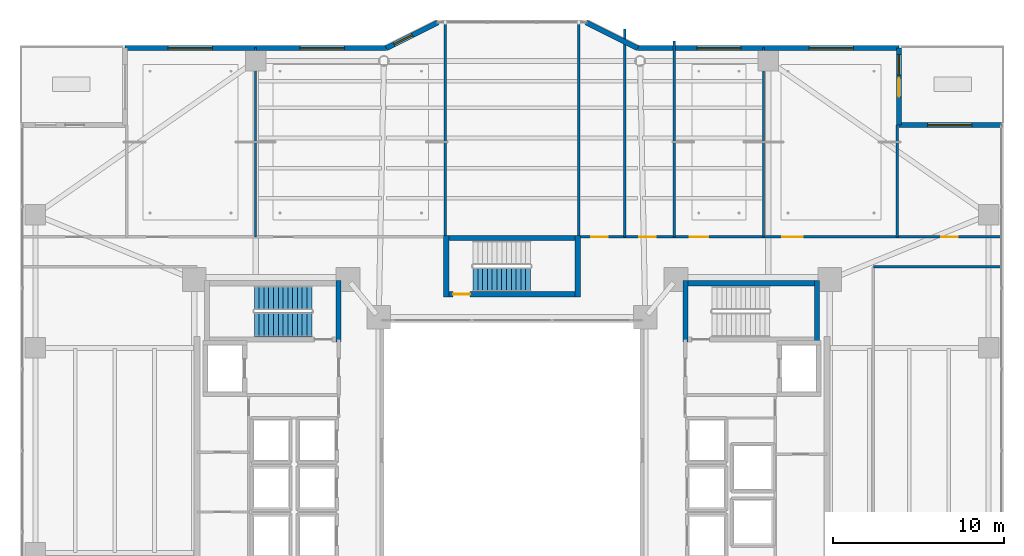
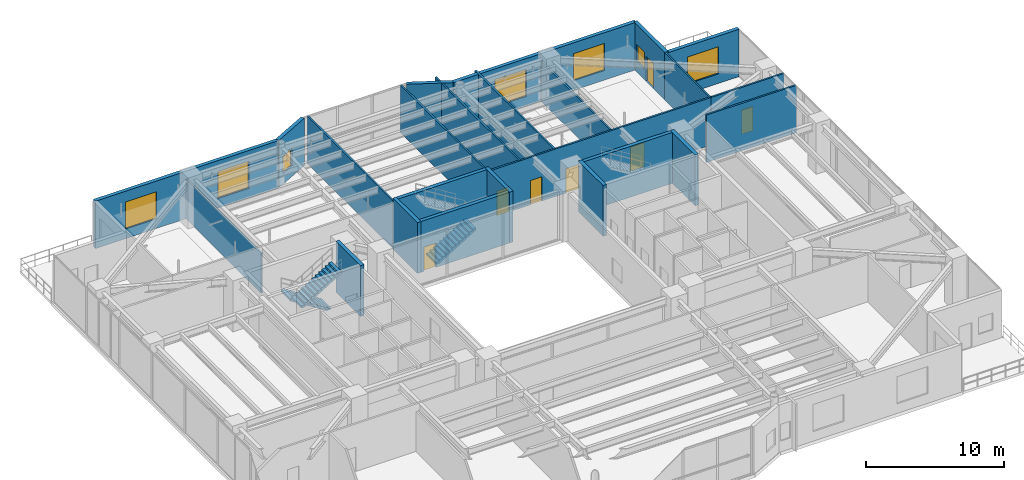
# One storey, part 32 of 39: 24 walls, 7 doors, 7 windows, 3 stair flights, 14 openings, 2 elements without a shape of their own.
"""IFC4 building model written with IfcOpenShell, lengths in metres."""

from ifc_helpers import new_model, si_unit, direction, frame, frame_2d, origin, place, context, subcontext, project, spatial, polyline, rectangle, outline, extrude, material, layer, layer_set, type_object, element, fill, aggregate, save


model = new_model("IFC4")

# Units and contexts
model_context = context("Model", 3, precision=1e-05, world=origin(), true_north=direction((0.0, 1.0)))
body_context = subcontext(model_context, "Body", "Model", "MODEL_VIEW")
ifc_project = project(units=[si_unit("LENGTHUNIT", "METRE"), si_unit("AREAUNIT", "SQUARE_METRE"), si_unit("VOLUMEUNIT", "CUBIC_METRE"), si_unit("PLANEANGLEUNIT", "RADIAN"), si_unit("MASSUNIT", "GRAM", prefix="KILO")], contexts=[model_context])

# Site, building, storey
site_placement = place(None, origin())
site = spatial("IfcSite", under=ifc_project, at=site_placement, CompositionType="ELEMENT")
building_placement = place(site_placement, origin())
building = spatial("IfcBuilding", under=site, at=building_placement, Name="Tarnavaz Court Tower", CompositionType="ELEMENT")
storey_placement = place(building_placement, frame((0.0, 0.0, 68.699951171875)))
storey = spatial("IfcBuildingStorey", under=building, at=storey_placement, Name="L18", CompositionType="ELEMENT", Elevation=68.699951171875)

# Walls
ifc_material_1 = material(Name="Concrete C60/75", Category="concrete")
ifc_layer_1 = layer(ifc_material_1, 0.300048828125)
ifc_layer_set_1 = layer_set([ifc_layer_1], Name="Concrete C60/75")
wall_type_1 = type_object("IfcWallType", Name="WL-CORE-300-C60", PredefinedType="SHEAR", material=ifc_layer_set_1)
wall_1_placement = place(storey_placement, frame((-10.14990234375, 6.35009765625, 0.0), z_axis=(0.0, 0.0, 1.0), x_axis=(0.0, 1.0, 0.0)))
element("IfcWall", 1, at=wall_1_placement, inside=storey, type_object=wall_type_1, Name="L18 West Stair Core Wall 004", PredefinedType="SHEAR", context=body_context, shape_type="SweptSolid", body=[
    extrude(rectangle(XDim=3.58984375, YDim=0.300048828125, at=frame_2d((1.794921875, 0.0))), origin(), (0.0, 0.0, 1.0), 4.5),
])
wall_2_placement = place(storey_placement, frame((10.0, 9.7900390625, 0.0), z_axis=(0.0, 0.0, 1.0), x_axis=(1.0, 0.0, 0.0)))
element("IfcWall", 2, at=wall_2_placement, inside=storey, type_object=wall_type_1, Name="L18 East Stair Core Wall 005", PredefinedType="SHEAR", context=body_context, shape_type="SweptSolid", body=[
    extrude(rectangle(XDim=8.0, YDim=0.300048828125, at=frame_2d((4.0, 0.0))), origin(), (0.0, 0.0, 1.0), 4.5),
])
for number, where, z_axis, x_axis, name in (
    (3, (10.14990234375, 6.35009765625, 0.0), (0.0, 0.0, 1.0), (0.0, 1.0, 0.0), "L18 East Stair Core Wall 007"),
    (4, (17.85009765625, 6.35009765625, 0.0), (0.0, 0.0, 1.0), (0.0, 1.0, 0.0), "L18 East Stair Core Wall 008"),
):
    element("IfcWall", number, at=place(storey_placement, frame(where, z_axis=z_axis, x_axis=x_axis)), inside=storey, type_object=wall_type_1, Name=name, PredefinedType="SHEAR", context=body_context, shape_type="SweptSolid", body=[
        extrude(rectangle(XDim=3.58984375, YDim=0.300048828125, at=frame_2d((1.794921875, 0.0))), origin(), (0.0, 0.0, 1.0), 4.5),
    ])
wall_3_placement = place(storey_placement, frame((-4.0, 12.43994140625, 0.0), z_axis=(0.0, 0.0, 1.0), x_axis=(1.0, 0.0, 0.0)))
element("IfcWall", 5, at=wall_3_placement, inside=storey, type_object=wall_type_1, Name="L18 North Stair Core Wall 009", PredefinedType="SHEAR", context=body_context, shape_type="SweptSolid", body=[
    extrude(rectangle(XDim=8.0, YDim=0.300048828125, at=frame_2d((4.0, 0.0))), origin(), (0.0, 0.0, 1.0), 4.5),
])

# Wall, opening, door
wall_4_placement = place(storey_placement, frame((-4.0, 9.14990234375, 0.0), z_axis=(0.0, 0.0, 1.0), x_axis=(1.0, 0.0, 0.0)))
wall_4 = element("IfcWall", 6, at=wall_4_placement, inside=storey, type_object=wall_type_1, Name="L18 North Stair Core Wall 010", PredefinedType="SHEAR", context=body_context, shape_type="SweptSolid", body=[
    extrude(rectangle(XDim=8.0, YDim=0.300048828125, at=frame_2d((4.0, 0.0))), origin(), (0.0, 0.0, 1.0), 4.5),
])
opening_1_placement = place(wall_4_placement, frame((0.550048828125, 0.0, 0.0)))
opening_1 = element("IfcOpeningElement", 7, at=opening_1_placement, cuts=wall_4, Name="Opening D01", PredefinedType="OPENING", context=body_context, shape_type="SweptSolid", body=[
    extrude(rectangle(XDim=1.0, YDim=2.14990234375, at=frame_2d((0.5, 1.074951171875))), frame((0.0, 0.159912109375, 0.0), z_axis=(0.0, -1.0, 0.0), x_axis=(1.0, 0.0, 0.0)), (0.0, 0.0, 1.0), 0.320068359375),
])
ifc_material_2 = material(Name="Fire-Rated Hardwood Timber Core", Category="wood")
door_type_1 = type_object("IfcDoorType", Name="DR-FD90-1000", OperationType="NOTDEFINED", PredefinedType="DOOR", material=ifc_material_2)
door_1_placement = place(opening_1_placement, origin())
door_1 = element("IfcDoor", 8, at=door_1_placement, inside=storey, type_object=door_type_1, Name="L18 Stair ST-N1 Exit Door", OperationType="SINGLE_SWING_LEFT", OverallHeight=2.14990234375, OverallWidth=1.0, PredefinedType="DOOR", context=body_context, shape_type="SweptSolid", body=[
    extrude(rectangle(XDim=1.0, YDim=2.14990234375, at=frame_2d((0.5, 1.074951171875))), frame((0.0, 0.02490234375, 0.0), z_axis=(0.0, -1.0, 0.0), x_axis=(1.0, 0.0, 0.0)), (0.0, 0.0, 1.0), 0.050048828125),
])
fill(opening_1, door_1)

# Walls
for number, where, z_axis, x_axis, name in (
    (9, (-3.85009765625, 9.0, 0.0), (0.0, 0.0, 1.0), (0.0, 1.0, 0.0), "L18 North Stair Core Wall 011"),
    (10, (3.85009765625, 9.0, 0.0), (0.0, 0.0, 1.0), (0.0, 1.0, 0.0), "L18 North Stair Core Wall 012"),
):
    element("IfcWall", number, at=place(storey_placement, frame(where, z_axis=z_axis, x_axis=x_axis)), inside=storey, type_object=wall_type_1, Name=name, PredefinedType="SHEAR", context=body_context, shape_type="SweptSolid", body=[
        extrude(rectangle(XDim=3.590087890625, YDim=0.300048828125, at=frame_2d((1.794921875, 0.0))), origin(), (0.0, 0.0, 1.0), 4.5),
    ])

# Wall, openings, windows
ifc_material_3 = material(Name="Precast Concrete C40/50", Category="concrete")
ifc_layer_2 = layer(ifc_material_3, 0.300048828125)
ifc_layer_set_2 = layer_set([ifc_layer_2], Name="Precast Concrete C40/50")
wall_type_2 = type_object("IfcWallType", Name="WL-EXT-300", PredefinedType="SOLIDWALL", material=ifc_layer_set_2)
wall_5_placement = place(storey_placement, frame((-22.64990234375, 23.550048828125, 0.0), z_axis=(0.0, 0.0, 1.0), x_axis=(1.0, 0.0, 0.0)))
wall_5 = element("IfcWall", 11, at=wall_5_placement, inside=storey, type_object=wall_type_2, Name="L18 Exterior Terracotta Facade Wall 05", PredefinedType="SOLIDWALL", context=body_context, shape_type="SweptSolid", body=[
    extrude(rectangle(XDim=15.2998046875, YDim=0.300048828125, at=frame_2d((7.64990234375, 0.0))), origin(), (0.0, 0.0, 1.0), 4.199951171875),
])
opening_2_placement = place(wall_5_placement, frame((2.512451171875, 0.0, 0.85009765625)))
opening_2 = element("IfcOpeningElement", 12, at=opening_2_placement, cuts=wall_5, Name="Opening W11", PredefinedType="OPENING", context=body_context, shape_type="SweptSolid", body=[
    extrude(rectangle(XDim=2.60009765625, YDim=2.39990234375, at=frame_2d((1.300048828125, 1.199951171875))), frame((0.0, 0.159912109375, 0.0), z_axis=(0.0, -1.0, 0.0), x_axis=(1.0, 0.0, 0.0)), (0.0, 0.0, 1.0), 0.320068359375),
])
opening_3_placement = place(wall_5_placement, frame((10.23779296875, 0.0, 0.85009765625)))
opening_3 = element("IfcOpeningElement", 13, at=opening_3_placement, cuts=wall_5, Name="Opening W11", PredefinedType="OPENING", context=body_context, shape_type="SweptSolid", body=[
    extrude(rectangle(XDim=2.60009765625, YDim=2.39990234375, at=frame_2d((1.300048828125, 1.199951171875))), frame((0.0, 0.159912109375, 0.0), z_axis=(0.0, -1.0, 0.0), x_axis=(1.0, 0.0, 0.0)), (0.0, 0.0, 1.0), 0.320068359375),
])
ifc_material_4 = material(Name="Double-Glazed Solar Low-E Glass", Category="glass")
window_type_1 = type_object("IfcWindowType", Name="WN-COM-2600", PartitioningType="TRIPLE_PANEL_VERTICAL", PredefinedType="WINDOW", material=ifc_material_4)
window_1_placement = place(opening_2_placement, origin())
window_1 = element("IfcWindow", 14, at=window_1_placement, inside=storey, type_object=window_type_1, Name="L18 Sky Transfer Reception Concourse Window", OverallHeight=2.39990234375, OverallWidth=2.60009765625, PartitioningType="SINGLE_PANEL", PredefinedType="WINDOW", context=body_context, shape_type="SweptSolid", body=[
    extrude(rectangle(XDim=2.60009765625, YDim=2.39990234375, at=frame_2d((1.300048828125, 1.199951171875))), frame((0.0, 0.030029296875, 0.0), z_axis=(0.0, -1.0, 0.0), x_axis=(1.0, 0.0, 0.0)), (0.0, 0.0, 1.0), 0.06005859375),
])
fill(opening_2, window_1)
window_2_placement = place(opening_3_placement, origin())
window_2 = element("IfcWindow", 15, at=window_2_placement, inside=storey, type_object=window_type_1, Name="L18 Residents Reading Library Window", OverallHeight=2.39990234375, OverallWidth=2.60009765625, PartitioningType="SINGLE_PANEL", PredefinedType="WINDOW", context=body_context, shape_type="SweptSolid", body=[
    extrude(rectangle(XDim=2.60009765625, YDim=2.39990234375, at=frame_2d((1.300048828125, 1.199951171875))), frame((0.0, 0.030029296875, 0.0), z_axis=(0.0, -1.0, 0.0), x_axis=(1.0, 0.0, 0.0)), (0.0, 0.0, 1.0), 0.06005859375),
])
fill(opening_3, window_2)

# Wall, opening, window
wall_6_placement = place(storey_placement, frame((-7.35009765625, 23.550048828125, 0.0), z_axis=(0.0, 0.0, 1.0), x_axis=(0.894427191, 0.4472135955, 0.0)))
wall_6 = element("IfcWall", 16, at=wall_6_placement, inside=storey, type_object=wall_type_2, Name="L18 Exterior Terracotta Facade Wall 06", PredefinedType="SOLIDWALL", context=body_context, shape_type="SweptSolid", body=[
    extrude(rectangle(XDim=3.35400390625, YDim=0.300048828125, at=frame_2d((1.677001953125, 0.0))), origin(), (0.0, 0.0, 1.0), 4.199951171875),
])
opening_4_placement = place(wall_6_placement, frame((0.501220703125, 0.0, 0.949951171875)))
opening_4 = element("IfcOpeningElement", 17, at=opening_4_placement, cuts=wall_6, Name="Opening W05", PredefinedType="OPENING", context=body_context, shape_type="SweptSolid", body=[
    extrude(rectangle(XDim=1.199951171875, YDim=1.5, at=frame_2d((0.60009765625, 0.75))), frame((0.0, 0.159912109375, 0.0), z_axis=(0.0, -1.0, 0.0), x_axis=(1.0, 0.0, 0.0)), (0.0, 0.0, 1.0), 0.320068359375),
])
window_type_2 = type_object("IfcWindowType", Name="WN-APT-1200", PartitioningType="SINGLE_PANEL", PredefinedType="WINDOW", material=ifc_material_4)
window_3_placement = place(opening_4_placement, origin())
window_3 = element("IfcWindow", 18, at=window_3_placement, inside=storey, type_object=window_type_2, Name="L18 Residents Reading Library Window", OverallHeight=1.5, OverallWidth=1.199951171875, PartitioningType="SINGLE_PANEL", PredefinedType="WINDOW", context=body_context, shape_type="SweptSolid", body=[
    extrude(rectangle(XDim=1.199951171875, YDim=1.5, at=frame_2d((0.60009765625, 0.75))), frame((0.0, 0.030029296875, 0.0), z_axis=(0.0, -1.0, 0.0), x_axis=(1.0, 0.0, 0.0)), (0.0, 0.0, 1.0), 0.06005859375),
])
fill(opening_4, window_3)

# Wall
wall_7_placement = place(storey_placement, frame((4.35009765625, 25.050048828125, 0.0), z_axis=(0.0, 0.0, 1.0), x_axis=(0.894427191, -0.4472135955, 0.0)))
element("IfcWall", 19, at=wall_7_placement, inside=storey, type_object=wall_type_2, Name="L18 Exterior Terracotta Facade Wall 08", PredefinedType="SOLIDWALL", context=body_context, shape_type="SweptSolid", body=[
    extrude(rectangle(XDim=3.35400390625, YDim=0.300048828125, at=frame_2d((1.677001953125, 0.0))), origin(), (0.0, 0.0, 1.0), 4.199951171875),
])

# Wall, openings, windows
wall_8_placement = place(storey_placement, frame((7.35009765625, 23.550048828125, 0.0), z_axis=(0.0, 0.0, 1.0), x_axis=(1.0, 0.0, 0.0)))
wall_8 = element("IfcWall", 20, at=wall_8_placement, inside=storey, type_object=wall_type_2, Name="L18 Exterior Terracotta Facade Wall 09", PredefinedType="SOLIDWALL", context=body_context, shape_type="SweptSolid", body=[
    extrude(rectangle(XDim=15.2998046875, YDim=0.300048828125, at=frame_2d((7.64990234375, 0.0))), origin(), (0.0, 0.0, 1.0), 4.199951171875),
])
opening_5_placement = place(wall_8_placement, frame((3.465576171875, 0.0, 0.85009765625)))
opening_5 = element("IfcOpeningElement", 21, at=opening_5_placement, cuts=wall_8, Name="Opening W11", PredefinedType="OPENING", context=body_context, shape_type="SweptSolid", body=[
    extrude(rectangle(XDim=2.60009765625, YDim=2.39990234375, at=frame_2d((1.300048828125, 1.199951171875))), frame((0.0, 0.159912109375, 0.0), z_axis=(0.0, -1.0, 0.0), x_axis=(1.0, 0.0, 0.0)), (0.0, 0.0, 1.0), 0.320068359375),
])
opening_6_placement = place(wall_8_placement, frame((10.037109375, 0.0, 0.85009765625)))
opening_6 = element("IfcOpeningElement", 22, at=opening_6_placement, cuts=wall_8, Name="Opening W11", PredefinedType="OPENING", context=body_context, shape_type="SweptSolid", body=[
    extrude(rectangle(XDim=2.60009765625, YDim=2.39990234375, at=frame_2d((1.300048828125, 1.199951171875))), frame((0.0, 0.159912109375, 0.0), z_axis=(0.0, -1.0, 0.0), x_axis=(1.0, 0.0, 0.0)), (0.0, 0.0, 1.0), 0.320068359375),
])
window_4_placement = place(opening_5_placement, origin())
window_4 = element("IfcWindow", 23, at=window_4_placement, inside=storey, type_object=window_type_1, Name="L18 Community Seminar Meeting Room Window", OverallHeight=2.39990234375, OverallWidth=2.60009765625, PartitioningType="SINGLE_PANEL", PredefinedType="WINDOW", context=body_context, shape_type="SweptSolid", body=[
    extrude(rectangle(XDim=2.60009765625, YDim=2.39990234375, at=frame_2d((1.300048828125, 1.199951171875))), frame((0.0, 0.030029296875, 0.0), z_axis=(0.0, -1.0, 0.0), x_axis=(1.0, 0.0, 0.0)), (0.0, 0.0, 1.0), 0.06005859375),
])
fill(opening_5, window_4)
window_5_placement = place(opening_6_placement, origin())
window_5 = element("IfcWindow", 24, at=window_5_placement, inside=storey, type_object=window_type_1, Name="L18 Community Multipurpose Banquet Hall Window", OverallHeight=2.39990234375, OverallWidth=2.60009765625, PartitioningType="SINGLE_PANEL", PredefinedType="WINDOW", context=body_context, shape_type="SweptSolid", body=[
    extrude(rectangle(XDim=2.60009765625, YDim=2.39990234375, at=frame_2d((1.300048828125, 1.199951171875))), frame((0.0, 0.030029296875, 0.0), z_axis=(0.0, -1.0, 0.0), x_axis=(1.0, 0.0, 0.0)), (0.0, 0.0, 1.0), 0.06005859375),
])
fill(opening_6, window_5)

# Wall, openings, door, window
wall_9_placement = place(storey_placement, frame((22.64990234375, 23.550048828125, 0.0), z_axis=(0.0, 0.0, 1.0), x_axis=(0.0, -1.0, 0.0)))
wall_9 = element("IfcWall", 25, at=wall_9_placement, inside=storey, type_object=wall_type_2, Name="L18 Exterior Terracotta Facade Wall 10", PredefinedType="SOLIDWALL", context=body_context, shape_type="SweptSolid", body=[
    extrude(rectangle(XDim=4.5, YDim=0.300048828125, at=frame_2d((2.25, 0.0))), origin(), (0.0, 0.0, 1.0), 4.199951171875),
])
opening_7_placement = place(wall_9_placement, frame((1.75, 0.0, 0.0)))
opening_7 = element("IfcOpeningElement", 26, at=opening_7_placement, cuts=wall_9, Name="Opening TD1", PredefinedType="OPENING", context=body_context, shape_type="SweptSolid", body=[
    extrude(rectangle(XDim=1.10009765625, YDim=2.199951171875, at=frame_2d((0.550048828125, 1.10009765625))), frame((0.0, 0.159912109375, 0.0), z_axis=(0.0, -1.0, 0.0), x_axis=(1.0, 0.0, 0.0)), (0.0, 0.0, 1.0), 0.320068359375),
])
opening_8_placement = place(wall_9_placement, frame((0.3798828125, 0.0, 0.949951171875)))
opening_8 = element("IfcOpeningElement", 27, at=opening_8_placement, cuts=wall_9, Name="Opening W05", PredefinedType="OPENING", context=body_context, shape_type="SweptSolid", body=[
    extrude(rectangle(XDim=1.199951171875, YDim=1.5, at=frame_2d((0.60009765625, 0.75))), frame((0.0, 0.159912109375, 0.0), z_axis=(0.0, -1.0, 0.0), x_axis=(1.0, 0.0, 0.0)), (0.0, 0.0, 1.0), 0.320068359375),
])
ifc_material_5 = material(Name="Thermally Broken Aluminium and Laminated Glass", Category="aluminium")
door_type_2 = type_object("IfcDoorType", Name="DR-TERR-1100", OperationType="NOTDEFINED", PredefinedType="DOOR", material=ifc_material_5)
door_2_placement = place(opening_7_placement, origin())
door_2 = element("IfcDoor", 28, at=door_2_placement, inside=storey, type_object=door_type_2, Name="L18 Sky Terrace Access Door 1", OperationType="SINGLE_SWING_LEFT", OverallHeight=2.199951171875, OverallWidth=1.10009765625, PredefinedType="DOOR", context=body_context, shape_type="SweptSolid", body=[
    extrude(rectangle(XDim=1.10009765625, YDim=2.199951171875, at=frame_2d((0.550048828125, 1.10009765625))), frame((0.0, 0.02490234375, 0.0), z_axis=(0.0, -1.0, 0.0), x_axis=(1.0, 0.0, 0.0)), (0.0, 0.0, 1.0), 0.050048828125),
])
fill(opening_7, door_2)
window_6_placement = place(opening_8_placement, origin())
window_6 = element("IfcWindow", 29, at=window_6_placement, inside=storey, type_object=window_type_2, Name="L18 Community Multipurpose Banquet Hall Window", OverallHeight=1.5, OverallWidth=1.199951171875, PartitioningType="SINGLE_PANEL", PredefinedType="WINDOW", context=body_context, shape_type="SweptSolid", body=[
    extrude(rectangle(XDim=1.199951171875, YDim=1.5, at=frame_2d((0.60009765625, 0.75))), frame((0.0, 0.030029296875, 0.0), z_axis=(0.0, -1.0, 0.0), x_axis=(1.0, 0.0, 0.0)), (0.0, 0.0, 1.0), 0.06005859375),
])
fill(opening_8, window_6)

# Wall, opening, window
wall_10_placement = place(storey_placement, frame((22.64990234375, 19.050048828125, 0.0), z_axis=(0.0, 0.0, 1.0), x_axis=(1.0, 0.0, 0.0)))
wall_10 = element("IfcWall", 30, at=wall_10_placement, inside=storey, type_object=wall_type_2, Name="L18 Exterior Terracotta Facade Wall 11", PredefinedType="SOLIDWALL", context=body_context, shape_type="SweptSolid", body=[
    extrude(rectangle(XDim=6.0, YDim=0.300048828125, at=frame_2d((3.0, 0.0))), origin(), (0.0, 0.0, 1.0), 4.199951171875),
])
opening_9_placement = place(wall_10_placement, frame((1.675048828125, 0.0, 0.85009765625)))
opening_9 = element("IfcOpeningElement", 31, at=opening_9_placement, cuts=wall_10, Name="Opening W11", PredefinedType="OPENING", context=body_context, shape_type="SweptSolid", body=[
    extrude(rectangle(XDim=2.60009765625, YDim=2.39990234375, at=frame_2d((1.300048828125, 1.199951171875))), frame((0.0, 0.159912109375, 0.0), z_axis=(0.0, -1.0, 0.0), x_axis=(1.0, 0.0, 0.0)), (0.0, 0.0, 1.0), 0.320068359375),
])
window_7_placement = place(opening_9_placement, origin())
window_7 = element("IfcWindow", 32, at=window_7_placement, inside=storey, type_object=window_type_1, Name="L18 L18 NE Terrace Salon Window", OverallHeight=2.39990234375, OverallWidth=2.60009765625, PartitioningType="SINGLE_PANEL", PredefinedType="WINDOW", context=body_context, shape_type="SweptSolid", body=[
    extrude(rectangle(XDim=2.60009765625, YDim=2.39990234375, at=frame_2d((1.300048828125, 1.199951171875))), frame((0.0, 0.030029296875, 0.0), z_axis=(0.0, -1.0, 0.0), x_axis=(1.0, 0.0, 0.0)), (0.0, 0.0, 1.0), 0.06005859375),
])
fill(opening_9, window_7)

# Wall, openings, doors
ifc_material_6 = material(Name="Gypsum Fire-Board on Acoustic Metal Stud", Category="masonry")
ifc_layer_3 = layer(ifc_material_6, 0.14990234375)
ifc_layer_set_3 = layer_set([ifc_layer_3], Name="Gypsum Fire-Board on Acoustic Metal Stud")
wall_type_3 = type_object("IfcWallType", Name="WL-FIRE-150", PredefinedType="PARTITIONING", material=ifc_layer_set_3)
wall_11_placement = place(storey_placement, frame((3.85009765625, 12.5, 0.0), z_axis=(0.0, 0.0, 1.0), x_axis=(1.0, 0.0, 0.0)))
wall_11 = element("IfcWall", 33, at=wall_11_placement, inside=storey, type_object=wall_type_3, Name="L18 NE Wing Corridor Wall 083", PredefinedType="PARTITIONING", context=body_context, shape_type="SweptSolid", body=[
    extrude(rectangle(XDim=18.699951171875, YDim=0.14990234375, at=frame_2d((9.35009765625, 0.0))), origin(), (0.0, 0.0, 1.0), 4.199951171875),
])
opening_10_placement = place(wall_11_placement, frame((0.800048828125, 0.0, 0.0)))
opening_10 = element("IfcOpeningElement", 34, at=opening_10_placement, cuts=wall_11, Name="Opening D13", PredefinedType="OPENING", context=body_context, shape_type="SweptSolid", body=[
    extrude(rectangle(XDim=0.949951171875, YDim=2.14990234375, at=frame_2d((0.47509765625, 1.074951171875))), frame((0.0, 0.0849609375, 0.0), z_axis=(0.0, -1.0, 0.0), x_axis=(1.0, 0.0, 0.0)), (0.0, 0.0, 1.0), 0.169921875),
])
opening_11_placement = place(wall_11_placement, frame((3.60009765625, 0.0, 0.0)))
opening_11 = element("IfcOpeningElement", 35, at=opening_11_placement, cuts=wall_11, Name="Opening D13", PredefinedType="OPENING", context=body_context, shape_type="SweptSolid", body=[
    extrude(rectangle(XDim=0.949951171875, YDim=2.14990234375, at=frame_2d((0.47509765625, 1.074951171875))), frame((0.0, 0.0849609375, 0.0), z_axis=(0.0, -1.0, 0.0), x_axis=(1.0, 0.0, 0.0)), (0.0, 0.0, 1.0), 0.169921875),
])
opening_12_placement = place(wall_11_placement, frame((6.550048828125, 0.0, 0.0)))
opening_12 = element("IfcOpeningElement", 36, at=opening_12_placement, cuts=wall_11, Name="Opening D12", PredefinedType="OPENING", context=body_context, shape_type="SweptSolid", body=[
    extrude(rectangle(XDim=1.080078125, YDim=2.14990234375, at=frame_2d((0.5400390625, 1.074951171875))), frame((0.0, 0.0849609375, 0.0), z_axis=(0.0, -1.0, 0.0), x_axis=(1.0, 0.0, 0.0)), (0.0, 0.0, 1.0), 0.169921875),
])
opening_13_placement = place(wall_11_placement, frame((11.969970703125, 0.0, 0.0)))
opening_13 = element("IfcOpeningElement", 37, at=opening_13_placement, cuts=wall_11, Name="Opening D11", PredefinedType="OPENING", context=body_context, shape_type="SweptSolid", body=[
    extrude(rectangle(XDim=1.199951171875, YDim=2.14990234375, at=frame_2d((0.60009765625, 1.074951171875))), frame((0.0, 0.0849609375, 0.0), z_axis=(0.0, -1.0, 0.0), x_axis=(1.0, 0.0, 0.0)), (0.0, 0.0, 1.0), 0.169921875),
])
ifc_material_7 = material(Name="Engineered Oak Timber", Category="wood")
door_type_3 = type_object("IfcDoorType", Name="DR-INT-1100", OperationType="NOTDEFINED", PredefinedType="DOOR", material=ifc_material_7)
door_3_placement = place(opening_12_placement, origin())
door_3 = element("IfcDoor", 38, at=door_3_placement, inside=storey, type_object=door_type_3, Name="L18 Community Meeting Room Door", OperationType="SINGLE_SWING_LEFT", OverallHeight=2.14990234375, OverallWidth=1.080078125, PredefinedType="DOOR", context=body_context, shape_type="SweptSolid", body=[
    extrude(rectangle(XDim=1.080078125, YDim=2.14990234375, at=frame_2d((0.5400390625, 1.074951171875))), frame((0.0, 0.02490234375, 0.0), z_axis=(0.0, -1.0, 0.0), x_axis=(1.0, 0.0, 0.0)), (0.0, 0.0, 1.0), 0.050048828125),
])
fill(opening_12, door_3)
door_type_4 = type_object("IfcDoorType", Name="DR-INT-1200", OperationType="NOTDEFINED", PredefinedType="DOOR", material=ifc_material_7)
door_4_placement = place(opening_13_placement, origin())
door_4 = element("IfcDoor", 39, at=door_4_placement, inside=storey, type_object=door_type_4, Name="L18 Community Multipurpose Banquet Hall Door", OperationType="SINGLE_SWING_RIGHT", OverallHeight=2.14990234375, OverallWidth=1.199951171875, PredefinedType="DOOR", context=body_context, shape_type="SweptSolid", body=[
    extrude(rectangle(XDim=1.199951171875, YDim=2.14990234375, at=frame_2d((0.60009765625, 1.074951171875))), frame((0.0, 0.02490234375, 0.0), z_axis=(0.0, -1.0, 0.0), x_axis=(1.0, 0.0, 0.0)), (0.0, 0.0, 1.0), 0.050048828125),
])
fill(opening_13, door_4)
door_type_5 = type_object("IfcDoorType", Name="DR-INT-950", OperationType="NOTDEFINED", PredefinedType="DOOR", material=ifc_material_7)
door_5_placement = place(opening_10_placement, origin())
door_5 = element("IfcDoor", 40, at=door_5_placement, inside=storey, type_object=door_type_5, Name="L18 Accessible WC Door", OperationType="SINGLE_SWING_LEFT", OverallHeight=2.14990234375, OverallWidth=0.949951171875, PredefinedType="DOOR", context=body_context, shape_type="SweptSolid", body=[
    extrude(rectangle(XDim=0.949951171875, YDim=2.14990234375, at=frame_2d((0.47509765625, 1.074951171875))), frame((0.0, 0.02490234375, 0.0), z_axis=(0.0, -1.0, 0.0), x_axis=(1.0, 0.0, 0.0)), (0.0, 0.0, 1.0), 0.050048828125),
])
fill(opening_10, door_5)
door_6_placement = place(opening_11_placement, origin())
door_6 = element("IfcDoor", 41, at=door_6_placement, inside=storey, type_object=door_type_5, Name="L18 Public Toilets Door", OperationType="SINGLE_SWING_RIGHT", OverallHeight=2.14990234375, OverallWidth=0.949951171875, PredefinedType="DOOR", context=body_context, shape_type="SweptSolid", body=[
    extrude(rectangle(XDim=0.949951171875, YDim=2.14990234375, at=frame_2d((0.47509765625, 1.074951171875))), frame((0.0, 0.02490234375, 0.0), z_axis=(0.0, -1.0, 0.0), x_axis=(1.0, 0.0, 0.0)), (0.0, 0.0, 1.0), 0.050048828125),
])
fill(opening_11, door_6)

# Wall
wall_12_placement = place(storey_placement, frame((21.14990234375, 10.75, 0.0), z_axis=(0.0, 0.0, 1.0), x_axis=(1.0, 0.0, 0.0)))
element("IfcWall", 42, at=wall_12_placement, inside=storey, type_object=wall_type_3, Name="L18 Interior Partition 101", PredefinedType="PARTITIONING", context=body_context, shape_type="SweptSolid", body=[
    extrude(rectangle(XDim=7.530029296875, YDim=0.14990234375, at=frame_2d((3.76513671875, 0.0))), origin(), (0.0, 0.0, 1.0), 4.199951171875),
])

# Wall, opening, door
wall_13_placement = place(storey_placement, frame((22.550048828125, 12.5, 0.0), z_axis=(0.0, 0.0, 1.0), x_axis=(1.0, 0.0, 0.0)))
wall_13 = element("IfcWall", 43, at=wall_13_placement, inside=storey, type_object=wall_type_3, Name="L18 Interior Partition 107", PredefinedType="PARTITIONING", context=body_context, shape_type="SweptSolid", body=[
    extrude(rectangle(XDim=6.1298828125, YDim=0.14990234375, at=frame_2d((3.06494140625, 0.0))), origin(), (0.0, 0.0, 1.0), 4.199951171875),
])
opening_14_placement = place(wall_13_placement, frame((2.590087890625, 0.0, 0.0)))
opening_14 = element("IfcOpeningElement", 44, at=opening_14_placement, cuts=wall_13, Name="Opening D13", PredefinedType="OPENING", context=body_context, shape_type="SweptSolid", body=[
    extrude(rectangle(XDim=0.949951171875, YDim=2.14990234375, at=frame_2d((0.47509765625, 1.074951171875))), frame((0.0, 0.0849609375, 0.0), z_axis=(0.0, -1.0, 0.0), x_axis=(1.0, 0.0, 0.0)), (0.0, 0.0, 1.0), 0.169921875),
])
door_7_placement = place(opening_14_placement, origin())
door_7 = element("IfcDoor", 45, at=door_7_placement, inside=storey, type_object=door_type_5, Name="L18 NE Terrace Salon Door", OperationType="SINGLE_SWING_LEFT", OverallHeight=2.14990234375, OverallWidth=0.949951171875, PredefinedType="DOOR", context=body_context, shape_type="SweptSolid", body=[
    extrude(rectangle(XDim=0.949951171875, YDim=2.14990234375, at=frame_2d((0.47509765625, 1.074951171875))), frame((0.0, 0.02490234375, 0.0), z_axis=(0.0, -1.0, 0.0), x_axis=(1.0, 0.0, 0.0)), (0.0, 0.0, 1.0), 0.050048828125),
])
fill(opening_14, door_7)

# Walls
ifc_material_8 = material(Name="Gypsum Plasterboard Acoustic Partition", Category="masonry")
ifc_layer_4 = layer(ifc_material_8, 0.139892578125)
ifc_layer_set_4 = layer_set([ifc_layer_4], Name="Gypsum Plasterboard Acoustic Partition")
wall_type_4 = type_object("IfcWallType", Name="WL-PART-150", PredefinedType="PARTITIONING", material=ifc_layer_set_4)
for number, where, z_axis, x_axis, name in (
    (46, (-3.89990234375, 12.5, 0.0), (0.0, 0.0, 1.0), (0.0, 1.0, 0.0), "L18 Interior Partition 088"),
    (47, (3.89990234375, 12.5, 0.0), (0.0, 0.0, 1.0), (0.0, 1.0, 0.0), "L18 Interior Partition 089"),
):
    element("IfcWall", number, at=place(storey_placement, frame(where, z_axis=z_axis, x_axis=x_axis)), inside=storey, type_object=wall_type_4, Name=name, PredefinedType="PARTITIONING", context=body_context, shape_type="SweptSolid", body=[
        extrude(rectangle(XDim=12.580078125, YDim=0.139892578125, at=frame_2d((6.2900390625, 0.0))), origin(), (0.0, 0.0, 1.0), 4.199951171875),
    ])
wall_14_placement = place(storey_placement, frame((-15.01708984375, 12.5, 0.0), z_axis=(0.0, 0.0, 1.0), x_axis=(0.0, 1.0, 0.0)))
element("IfcWall", 48, at=wall_14_placement, inside=storey, type_object=wall_type_4, Name="L18 Interior Partition 090", PredefinedType="PARTITIONING", context=body_context, shape_type="SweptSolid", body=[
    extrude(rectangle(XDim=11.10009765625, YDim=0.139892578125, at=frame_2d((5.550048828125, 0.0))), origin(), (0.0, 0.0, 1.0), 3.53515625),
])
wall_15_placement = place(storey_placement, frame((6.60009765625, 12.5, 0.0), z_axis=(0.0, 0.0, 1.0), x_axis=(0.0, 1.0, 0.0)))
element("IfcWall", 49, at=wall_15_placement, inside=storey, type_object=wall_type_4, Name="L18 Interior Partition 091", PredefinedType="PARTITIONING", context=body_context, shape_type="SweptSolid", body=[
    extrude(rectangle(XDim=12.18505859375, YDim=0.139892578125, at=frame_2d((6.092529296875, 0.0))), origin(), (0.0, 0.0, 1.0), 4.199951171875),
])
wall_16_placement = place(storey_placement, frame((9.5, 12.5, 0.0), z_axis=(0.0, 0.0, 1.0), x_axis=(0.0, 1.0, 0.0)))
element("IfcWall", 50, at=wall_16_placement, inside=storey, type_object=wall_type_4, Name="L18 Interior Partition 092", PredefinedType="PARTITIONING", context=body_context, shape_type="SweptSolid", body=[
    extrude(rectangle(XDim=11.469970703125, YDim=0.139892578125, at=frame_2d((5.73486328125, 0.0))), origin(), (0.0, 0.0, 1.0), 4.199951171875),
])
wall_17_placement = place(storey_placement, frame((14.719970703125, 12.5, 0.0), z_axis=(0.0, 0.0, 1.0), x_axis=(0.0, 1.0, 0.0)))
element("IfcWall", 51, at=wall_17_placement, inside=storey, type_object=wall_type_4, Name="L18 Interior Partition 093", PredefinedType="PARTITIONING", context=body_context, shape_type="SweptSolid", body=[
    extrude(rectangle(XDim=11.10009765625, YDim=0.139892578125, at=frame_2d((5.550048828125, 0.0))), origin(), (0.0, 0.0, 1.0), 3.53515625),
])
wall_18_placement = place(storey_placement, frame((22.550048828125, 12.5, 0.0), z_axis=(0.0, 0.0, 1.0), x_axis=(0.0, 1.0, 0.0)))
element("IfcWall", 52, at=wall_18_placement, inside=storey, type_object=wall_type_4, Name="L18 Interior Partition 105", PredefinedType="PARTITIONING", context=body_context, shape_type="SweptSolid", body=[
    extrude(rectangle(XDim=6.550048828125, YDim=0.139892578125, at=frame_2d((3.27490234375, 0.0))), origin(), (0.0, 0.0, 1.0), 4.199951171875),
])

# Stair, stair flights
ifc_material_9 = material(Name="Concrete C40/50", Category="concrete")
stair_type = type_object("IfcStairType", Name="ST-TWR-26R", PredefinedType="HALF_TURN_STAIR", material=ifc_material_9)
stair_1_placement = place(storey_placement, origin())
stair_1 = element("IfcStair", 53, at=stair_1_placement, inside=storey, type_object=stair_type, Name="L18 West Core Pressurized Exit Stair ST-W1", PredefinedType="HALF_TURN_STAIR")
stair_flight_type = type_object("IfcStairFlightType", Name="SFL-RC-26R", PredefinedType="STRAIGHT", material=ifc_material_9)
stair_flight_1_placement = place(storey_placement, frame((-11.719970703125, 8.929931640625, 0.0), z_axis=(0.0, 0.0, 1.0), x_axis=(-1.0, 0.0, 0.0)))
stair_flight_1 = element("IfcStairFlight", 54, at=stair_flight_1_placement, type_object=stair_flight_type, Name="ST-W1 flight 1", NumberOfRisers=13, NumberOfTreads=12, PredefinedType="STRAIGHT", RiserHeight=0.173076923, TreadLength=0.28, context=body_context, shape_type="SweptSolid", body=[
    extrude(outline(polyline([(0.0, 0.0), (0.0, 0.173095703125), (0.280029296875, 0.173095703125), (0.280029296875, 0.34619140625), (0.56005859375, 0.34619140625), (0.56005859375, 0.519287109375), (0.840087890625, 0.519287109375), (0.840087890625, 0.6923828125), (1.1201171875, 0.6923828125), (1.1201171875, 0.865478515625), (1.39990234375, 0.865478515625), (1.39990234375, 1.03857421875), (1.679931640625, 1.03857421875), (1.679931640625, 1.21142578125), (1.9599609375, 1.21142578125), (1.9599609375, 1.384521484375), (2.239990234375, 1.384521484375), (2.239990234375, 1.5576171875), (2.52001953125, 1.5576171875), (2.52001953125, 1.730712890625), (2.800048828125, 1.730712890625), (2.800048828125, 1.90380859375), (3.080078125, 1.90380859375), (3.080078125, 2.076904296875), (3.360107421875, 2.076904296875), (3.360107421875, 2.25), (3.360107421875, 1.900634765625), (0.28515625, 0.0), (0.0, 0.0)])), frame((0.0, 0.7099609375, 0.0), z_axis=(0.0, -1.0, 0.0), x_axis=(1.0, 0.0, 0.0)), (0.0, 0.0, 1.0), 1.419921875),
])
stair_flight_2_placement = place(storey_placement, frame((-15.080078125, 7.360107421875, 2.25), z_axis=(0.0, 0.0, 1.0), x_axis=(1.0, 0.0, 0.0)))
stair_flight_2 = element("IfcStairFlight", 55, at=stair_flight_2_placement, type_object=stair_flight_type, Name="ST-W1 flight 2", NumberOfRisers=13, NumberOfTreads=12, PredefinedType="STRAIGHT", RiserHeight=0.173076923, TreadLength=0.28, context=body_context, shape_type="SweptSolid", body=[
    extrude(outline(polyline([(0.0, 0.0), (0.0, 0.173095703125), (0.280029296875, 0.173095703125), (0.280029296875, 0.34619140625), (0.56005859375, 0.34619140625), (0.56005859375, 0.519287109375), (0.840087890625, 0.519287109375), (0.840087890625, 0.6923828125), (1.1201171875, 0.6923828125), (1.1201171875, 0.865478515625), (1.39990234375, 0.865478515625), (1.39990234375, 1.03857421875), (1.679931640625, 1.03857421875), (1.679931640625, 1.21142578125), (1.9599609375, 1.21142578125), (1.9599609375, 1.384521484375), (2.239990234375, 1.384521484375), (2.239990234375, 1.5576171875), (2.52001953125, 1.5576171875), (2.52001953125, 1.730712890625), (2.800048828125, 1.730712890625), (2.800048828125, 1.90380859375), (3.080078125, 1.90380859375), (3.080078125, 2.076904296875), (3.360107421875, 2.076904296875), (3.360107421875, 2.25), (3.360107421875, 1.900634765625), (0.28515625, 0.0), (0.0, 0.0)])), frame((0.0, 0.7099609375, 0.0), z_axis=(0.0, -1.0, 0.0), x_axis=(1.0, 0.0, 0.0)), (0.0, 0.0, 1.0), 1.419921875),
])
aggregate(stair_1, [stair_flight_1, stair_flight_2])

# Stair, stair flight
stair_2_placement = place(storey_placement, origin())
stair_2 = element("IfcStair", 56, at=stair_2_placement, inside=storey, type_object=stair_type, Name="L18 North Ring Pressurized Exit Stair ST-N1", PredefinedType="HALF_TURN_STAIR")
stair_flight_3_placement = place(storey_placement, frame((-2.280029296875, 10.010009765625, 0.0), z_axis=(0.0, 0.0, 1.0), x_axis=(1.0, 0.0, 0.0)))
stair_flight_3 = element("IfcStairFlight", 57, at=stair_flight_3_placement, type_object=stair_flight_type, Name="ST-N1 flight 1", NumberOfRisers=13, NumberOfTreads=12, PredefinedType="STRAIGHT", RiserHeight=0.173076923, TreadLength=0.28, context=body_context, shape_type="SweptSolid", body=[
    extrude(outline(polyline([(0.0, 0.0), (0.0, 0.173095703125), (0.280029296875, 0.173095703125), (0.280029296875, 0.34619140625), (0.56005859375, 0.34619140625), (0.56005859375, 0.519287109375), (0.840087890625, 0.519287109375), (0.840087890625, 0.6923828125), (1.1201171875, 0.6923828125), (1.1201171875, 0.865478515625), (1.39990234375, 0.865478515625), (1.39990234375, 1.03857421875), (1.679931640625, 1.03857421875), (1.679931640625, 1.21142578125), (1.9599609375, 1.21142578125), (1.9599609375, 1.384521484375), (2.239990234375, 1.384521484375), (2.239990234375, 1.5576171875), (2.52001953125, 1.5576171875), (2.52001953125, 1.730712890625), (2.800048828125, 1.730712890625), (2.800048828125, 1.90380859375), (3.080078125, 1.90380859375), (3.080078125, 2.076904296875), (3.360107421875, 2.076904296875), (3.360107421875, 2.25), (3.360107421875, 1.900634765625), (0.28515625, 0.0), (0.0, 0.0)])), frame((0.0, 0.7099609375, 0.0), z_axis=(0.0, -1.0, 0.0), x_axis=(1.0, 0.0, 0.0)), (0.0, 0.0, 1.0), 1.419921875),
])
aggregate(stair_2, [stair_flight_3])

save(model, "model.ifc")
